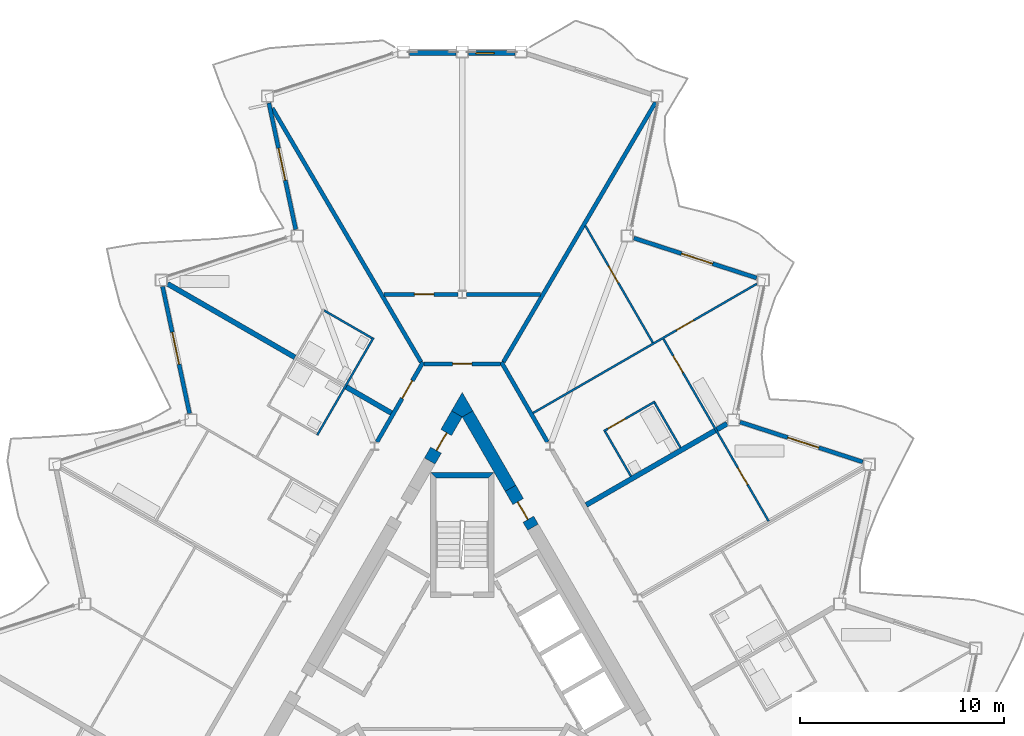
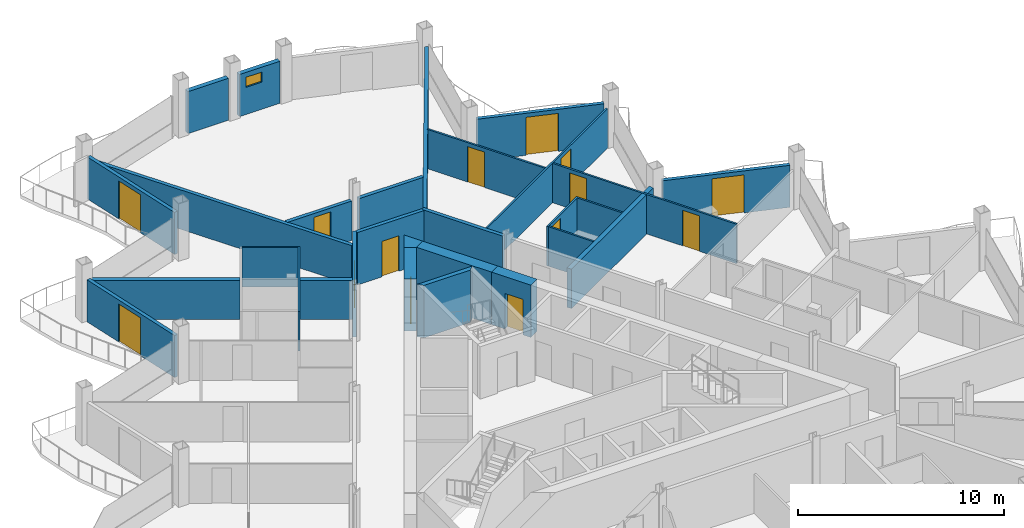
# One storey, part 17 of 26: 29 walls, 14 doors, 1 window, 15 openings.
"""IFC4 building model written with IfcOpenShell, lengths in metres."""

from ifc_helpers import new_model, si_unit, direction, frame, frame_2d, origin, place, context, subcontext, project, spatial, polyline, rectangle, outline, extrude, material, layer, layer_set, type_object, element, fill, save


model = new_model("IFC4")

# Units and contexts
model_context = context("Model", 3, precision=1e-05, world=origin(), true_north=direction((0.0, 1.0)))
body_context = subcontext(model_context, "Body", "Model", "MODEL_VIEW")
ifc_project = project(units=[si_unit("LENGTHUNIT", "METRE"), si_unit("AREAUNIT", "SQUARE_METRE"), si_unit("VOLUMEUNIT", "CUBIC_METRE"), si_unit("PLANEANGLEUNIT", "RADIAN"), si_unit("MASSUNIT", "GRAM", prefix="KILO")], contexts=[model_context])

# Site, building, storey
site_placement = place(None, origin())
site = spatial("IfcSite", under=ifc_project, at=site_placement, CompositionType="ELEMENT")
building_placement = place(site_placement, origin())
building = spatial("IfcBuilding", under=site, at=building_placement, Name="Cormorant Prow Tower", CompositionType="ELEMENT")
storey_placement = place(building_placement, frame((0.0, 0.0, 339.199951171875)))
storey = spatial("IfcBuildingStorey", under=building, at=storey_placement, Name="L76", CompositionType="ELEMENT", Elevation=339.199951171875)

# Walls
ifc_material_1 = material(Name="Concrete 8000 psi", Category="concrete")
ifc_layer_1 = layer(ifc_material_1, 0.60009765625)
ifc_layer_set_1 = layer_set([ifc_layer_1], Name="Concrete 8000 psi")
wall_type_1 = type_object("IfcWallType", Name="Core shear wall 600", PredefinedType="SHEAR", material=ifc_layer_set_1)
wall_1_placement = place(storey_placement, frame((2.36083984375, 10.322021484375, 0.0), z_axis=(0.0, 0.0, 1.0), x_axis=(-0.500000735859, 0.866024978935, 0.0)))
element("IfcWall", 1, at=wall_1_placement, inside=storey, type_object=wall_type_1, Name="Core wall", PredefinedType="SHEAR", context=body_context, shape_type="SweptSolid", body=[
    extrude(rectangle(XDim=4.2021484375, YDim=0.60009765625, at=frame_2d((2.10107421875, 0.0))), origin(), (0.0, 0.0, 1.0), 3.10009765625),
])
wall_2_placement = place(storey_placement, origin())
element("IfcWall", 2, at=wall_2_placement, inside=storey, type_object=wall_type_1, Name="Core wall corner", PredefinedType="SHEAR", context=body_context, shape_type="SweptSolid", body=[
    extrude(outline(polyline([(0.0, 13.81103515625), (-0.51953125, 14.111083984375), (0.0, 15.010986328125), (0.51953125, 14.111083984375), (0.0, 13.81103515625)])), origin(), (0.0, 0.0, 1.0), 3.10009765625),
])

# Wall, opening, door
wall_3_placement = place(storey_placement, frame((3.460693359375, 8.416748046875, 0.0), z_axis=(0.0, 0.0, 1.0), x_axis=(-0.499946605688, 0.86605622881, 0.0)))
wall_3 = element("IfcWall", 3, at=wall_3_placement, inside=storey, type_object=wall_type_1, Name="Core wall door panel", PredefinedType="SHEAR", context=body_context, shape_type="SweptSolid", body=[
    extrude(rectangle(XDim=2.199951171875, YDim=0.60009765625, at=frame_2d((1.10009765625, 0.0))), origin(), (0.0, 0.0, 1.0), 3.10009765625),
])
opening_1_placement = place(wall_3_placement, frame((0.449951171875, 0.0, 0.0)))
opening_1 = element("IfcOpeningElement", 4, at=opening_1_placement, cuts=wall_3, Name="Opening L76-C17", PredefinedType="OPENING", context=body_context, shape_type="SweptSolid", body=[
    extrude(rectangle(XDim=1.0, YDim=2.10009765625, at=frame_2d((0.5, 1.050048828125))), frame((0.0, 0.31005859375, 0.0), z_axis=(0.0, -1.0, 0.0), x_axis=(1.0, 0.0, 0.0)), (0.0, 0.0, 1.0), 0.6201171875),
])
ifc_material_2 = material(Name="Painted steel", Category="steel")
door_type_1 = type_object("IfcDoorType", Name="Service door 1000x2100", OperationType="NOTDEFINED", PredefinedType="DOOR", material=ifc_material_2)
door_1_placement = place(opening_1_placement, origin())
door_1 = element("IfcDoor", 5, at=door_1_placement, inside=storey, type_object=door_type_1, Name="Core door, Mechanical riser room", OperationType="SINGLE_SWING_RIGHT", OverallHeight=2.10009765625, OverallWidth=1.0, PredefinedType="DOOR", context=body_context, shape_type="SweptSolid", body=[
    extrude(rectangle(XDim=1.0, YDim=2.10009765625, at=frame_2d((0.5, 1.050048828125))), frame((0.0, 0.05517578125, 0.0), z_axis=(0.0, -1.0, 0.0), x_axis=(1.0, 0.0, 0.0)), (0.0, 0.0, 1.0), 0.050048828125),
])
fill(opening_1, door_1)

wall_4_placement = place(storey_placement, frame((-0.259765625, 13.961181640625, 0.0), z_axis=(0.0, 0.0, 1.0), x_axis=(-0.49997936161, -0.866037319036, 0.0)))
wall_4 = element("IfcWall", 6, at=wall_4_placement, inside=storey, type_object=wall_type_1, Name="Core wall door panel", PredefinedType="SHEAR", context=body_context, shape_type="SweptSolid", body=[
    extrude(rectangle(XDim=2.65966796875, YDim=0.60009765625, at=frame_2d((1.329833984375, 0.0))), origin(), (0.0, 0.0, 1.0), 3.10009765625),
])
opening_2_placement = place(wall_4_placement, frame((1.050048828125, 0.0, 0.0)))
opening_2 = element("IfcOpeningElement", 7, at=opening_2_placement, cuts=wall_4, Name="Opening L76-C19", PredefinedType="OPENING", context=body_context, shape_type="SweptSolid", body=[
    extrude(rectangle(XDim=1.0, YDim=2.10009765625, at=frame_2d((0.5, 1.050048828125))), frame((0.0, 0.31005859375, 0.0), z_axis=(0.0, -1.0, 0.0), x_axis=(1.0, 0.0, 0.0)), (0.0, 0.0, 1.0), 0.6201171875),
])
door_2_placement = place(opening_2_placement, origin())
door_2 = element("IfcDoor", 8, at=door_2_placement, inside=storey, type_object=door_type_1, Name="Core door, Mechanical riser room", OperationType="SINGLE_SWING_LEFT", OverallHeight=2.10009765625, OverallWidth=1.0, PredefinedType="DOOR", context=body_context, shape_type="SweptSolid", body=[
    extrude(rectangle(XDim=1.0, YDim=2.10009765625, at=frame_2d((0.5, 1.050048828125))), frame((0.0, 0.05517578125, 0.0), z_axis=(0.0, -1.0, 0.0), x_axis=(1.0, 0.0, 0.0)), (0.0, 0.0, 1.0), 0.050048828125),
])
fill(opening_2, door_2)

ifc_material_3 = material(Name="Gypsum board corridor wall")
ifc_layer_2 = layer(ifc_material_3, 0.199951171875)
ifc_layer_set_2 = layer_set([ifc_layer_2], Name="Gypsum board corridor wall")
wall_type_2 = type_object("IfcWallType", Name="Corridor wall 200", PredefinedType="PARTITIONING", material=ifc_layer_set_2)
wall_5_placement = place(storey_placement, frame((-4.169189453125, 12.589599609375, 0.0), z_axis=(0.0, 0.0, 1.0), x_axis=(0.499950370306, 0.866054055606, 0.0)))
wall_5 = element("IfcWall", 9, at=wall_5_placement, inside=storey, type_object=wall_type_2, Name="Corridor wall", PredefinedType="PARTITIONING", context=body_context, shape_type="SweptSolid", body=[
    extrude(rectangle(XDim=4.5126953125, YDim=0.199951171875, at=frame_2d((2.25634765625, 0.0))), origin(), (0.0, 0.0, 1.0), 3.10009765625),
])
opening_3_placement = place(wall_5_placement, frame((2.459228515625, 0.0, 0.0)))
opening_3 = element("IfcOpeningElement", 10, at=opening_3_placement, cuts=wall_5, Name="Opening L76-F40", PredefinedType="OPENING", context=body_context, shape_type="SweptSolid", body=[
    extrude(rectangle(XDim=1.0, YDim=2.10009765625, at=frame_2d((0.5, 1.050048828125))), frame((0.0, 0.10986328125, 0.0), z_axis=(0.0, -1.0, 0.0), x_axis=(1.0, 0.0, 0.0)), (0.0, 0.0, 1.0), 0.219970703125),
])
ifc_material_4 = material(Name="Timber door leaf", Category="wood")
door_type_2 = type_object("IfcDoorType", Name="Flat or room entrance door 1000x2100", OperationType="NOTDEFINED", PredefinedType="DOOR", material=ifc_material_4)
door_3_placement = place(opening_3_placement, origin())
door_3 = element("IfcDoor", 11, at=door_3_placement, inside=storey, type_object=door_type_2, Name="Studio living, kitchen and sleeping room door", OperationType="SINGLE_SWING_LEFT", OverallHeight=2.10009765625, OverallWidth=1.0, PredefinedType="DOOR", context=body_context, shape_type="SweptSolid", body=[
    extrude(rectangle(XDim=1.0, YDim=2.10009765625, at=frame_2d((0.5, 1.050048828125))), frame((0.0, 0.02490234375, 0.0), z_axis=(0.0, -1.0, 0.0), x_axis=(1.0, 0.0, 0.0)), (0.0, 0.0, 1.0), 0.050048828125),
])
fill(opening_3, door_3)

# Wall
wall_6_placement = place(storey_placement, frame((1.9130859375, 16.497802734375, 0.0), z_axis=(0.0, 0.0, 1.0), x_axis=(0.499950370306, -0.866054055606, 0.0)))
element("IfcWall", 12, at=wall_6_placement, inside=storey, type_object=wall_type_2, Name="Corridor wall", PredefinedType="PARTITIONING", context=body_context, shape_type="SweptSolid", body=[
    extrude(rectangle(XDim=4.5126953125, YDim=0.199951171875, at=frame_2d((2.25634765625, 0.0))), origin(), (0.0, 0.0, 1.0), 3.10009765625),
])

# Wall, opening, door
wall_7_placement = place(storey_placement, frame((-1.863037109375, 16.4111328125, 0.0), z_axis=(0.0, 0.0, 1.0), x_axis=(1.0, 0.0, 0.0)))
wall_7 = element("IfcWall", 13, at=wall_7_placement, inside=storey, type_object=wall_type_2, Name="Corridor wall", PredefinedType="PARTITIONING", context=body_context, shape_type="SweptSolid", body=[
    extrude(rectangle(XDim=3.72607421875, YDim=0.199951171875, at=frame_2d((1.863037109375, 0.0))), origin(), (0.0, 0.0, 1.0), 3.10009765625),
])
opening_4_placement = place(wall_7_placement, frame((1.387939453125, 0.0, 0.0)))
opening_4 = element("IfcOpeningElement", 14, at=opening_4_placement, cuts=wall_7, Name="Opening L76-F38", PredefinedType="OPENING", context=body_context, shape_type="SweptSolid", body=[
    extrude(rectangle(XDim=0.949951171875, YDim=2.10009765625, at=frame_2d((0.47509765625, 1.050048828125))), frame((0.0, 0.10986328125, 0.0), z_axis=(0.0, -1.0, 0.0), x_axis=(1.0, 0.0, 0.0)), (0.0, 0.0, 1.0), 0.219970703125),
])
ifc_material_5 = material(Name="Timber door leaf", Category="wood")
door_type_3 = type_object("IfcDoorType", Name="Store door 950x2100", OperationType="NOTDEFINED", PredefinedType="DOOR", material=ifc_material_5)
door_4_placement = place(opening_4_placement, origin())
door_4 = element("IfcDoor", 15, at=door_4_placement, inside=storey, type_object=door_type_3, Name="Refuse room door", OperationType="SINGLE_SWING_RIGHT", OverallHeight=2.10009765625, OverallWidth=0.949951171875, PredefinedType="DOOR", context=body_context, shape_type="SweptSolid", body=[
    extrude(rectangle(XDim=0.949951171875, YDim=2.10009765625, at=frame_2d((0.47509765625, 1.050048828125))), frame((0.0, 0.02490234375, 0.0), z_axis=(0.0, -1.0, 0.0), x_axis=(1.0, 0.0, 0.0)), (0.0, 0.0, 1.0), 0.050048828125),
])
fill(opening_4, door_4)

# Walls
ifc_material_6 = material(Name="Gypsum board demising wall")
ifc_layer_3 = layer(ifc_material_6, 0.199951171875)
ifc_layer_set_3 = layer_set([ifc_layer_3], Name="Gypsum board demising wall")
wall_type_3 = type_object("IfcWallType", Name="Demising wall 200", PredefinedType="PARTITIONING", material=ifc_layer_set_3)
wall_8_placement = place(storey_placement, frame((-9.29248046875, 28.91943359375, 0.0), z_axis=(0.0, 0.0, 1.0), x_axis=(0.505558038556, -0.862792599442, 0.0)))
element("IfcWall", 16, at=wall_8_placement, inside=storey, type_object=wall_type_3, Name="Demising wall", PredefinedType="PARTITIONING", context=body_context, shape_type="SweptSolid", body=[
    extrude(rectangle(XDim=14.3974609375, YDim=0.199951171875, at=frame_2d((7.19873046875, 0.0))), origin(), (0.0, 0.0, 1.0), 2.330078125),
])
wall_9_placement = place(storey_placement, frame((2.013671875, 16.497314453125, 0.0), z_axis=(0.0, 0.0, 1.0), x_axis=(0.5055676136, 0.862786988821, 0.0)))
element("IfcWall", 17, at=wall_9_placement, inside=storey, type_object=wall_type_3, Name="Demising wall", PredefinedType="PARTITIONING", context=body_context, shape_type="SweptSolid", body=[
    extrude(rectangle(XDim=14.7275390625, YDim=0.199951171875, at=frame_2d((7.36376953125, 0.0))), origin(), (0.0, 0.0, 1.0), 2.330078125),
])

# Wall, opening, door
wall_10_placement = place(storey_placement, frame((-3.825927734375, 19.81103515625, 0.0), z_axis=(0.0, 0.0, 1.0), x_axis=(1.0, 0.0, 0.0)))
wall_10 = element("IfcWall", 18, at=wall_10_placement, inside=storey, type_object=wall_type_3, Name="Demising wall", PredefinedType="PARTITIONING", context=body_context, shape_type="SweptSolid", body=[
    extrude(rectangle(XDim=3.6181640625, YDim=0.199951171875, at=frame_2d((1.80908203125, 0.0))), origin(), (0.0, 0.0, 1.0), 2.330078125),
])
opening_5_placement = place(wall_10_placement, frame((1.489013671875, 0.0, 0.0)))
opening_5 = element("IfcOpeningElement", 19, at=opening_5_placement, cuts=wall_10, Name="Opening L76-F39", PredefinedType="OPENING", context=body_context, shape_type="SweptSolid", body=[
    extrude(rectangle(XDim=0.949951171875, YDim=2.10009765625, at=frame_2d((0.47509765625, 1.050048828125))), frame((0.0, 0.10986328125, 0.0), z_axis=(0.0, -1.0, 0.0), x_axis=(1.0, 0.0, 0.0)), (0.0, 0.0, 1.0), 0.219970703125),
])
door_5_placement = place(opening_5_placement, origin())
door_5 = element("IfcDoor", 20, at=door_5_placement, inside=storey, type_object=door_type_3, Name="Bicycle store door", OperationType="SINGLE_SWING_RIGHT", OverallHeight=2.10009765625, OverallWidth=0.949951171875, PredefinedType="DOOR", context=body_context, shape_type="SweptSolid", body=[
    extrude(rectangle(XDim=0.949951171875, YDim=2.10009765625, at=frame_2d((0.47509765625, 1.050048828125))), frame((0.0, 0.02490234375, 0.0), z_axis=(0.0, -1.0, 0.0), x_axis=(1.0, 0.0, 0.0)), (0.0, 0.0, 1.0), 0.050048828125),
])
fill(opening_5, door_5)

# Wall
wall_11_placement = place(storey_placement, frame((0.207763671875, 19.81103515625, 0.0), z_axis=(0.0, 0.0, 1.0), x_axis=(1.0, 0.0, 0.0)))
element("IfcWall", 21, at=wall_11_placement, inside=storey, type_object=wall_type_3, Name="Demising wall", PredefinedType="PARTITIONING", context=body_context, shape_type="SweptSolid", body=[
    extrude(rectangle(XDim=3.6181640625, YDim=0.199951171875, at=frame_2d((1.80908203125, 0.0))), origin(), (0.0, 0.0, 1.0), 2.330078125),
])

# Wall, opening, door
ifc_material_7 = material(Name="Gypsum board partition")
ifc_layer_4 = layer(ifc_material_7, 0.10009765625)
ifc_layer_set_4 = layer_set([ifc_layer_4], Name="Gypsum board partition")
wall_type_4 = type_object("IfcWallType", Name="Internal partition 100", PredefinedType="PARTITIONING", material=ifc_layer_set_4)
wall_12_placement = place(storey_placement, frame((3.467529296875, 14.005126953125, 0.0), z_axis=(0.0, 0.0, 1.0), x_axis=(0.866020616849, 0.500008291124, 0.0)))
wall_12 = element("IfcWall", 22, at=wall_12_placement, inside=storey, type_object=wall_type_4, Name="Internal partition", PredefinedType="PARTITIONING", context=body_context, shape_type="SweptSolid", body=[
    extrude(rectangle(XDim=12.642822265625, YDim=0.10009765625, at=frame_2d((6.3212890625, 0.0))), origin(), (0.0, 0.0, 1.0), 2.330078125),
])
opening_6_placement = place(wall_12_placement, frame((8.115234375, 0.0, 0.0)))
opening_6 = element("IfcOpeningElement", 23, at=opening_6_placement, cuts=wall_12, Name="Opening L76-F36", PredefinedType="OPENING", context=body_context, shape_type="SweptSolid", body=[
    extrude(rectangle(XDim=0.949951171875, YDim=2.10009765625, at=frame_2d((0.47509765625, 1.050048828125))), frame((0.0, 0.06005859375, 0.0), z_axis=(0.0, -1.0, 0.0), x_axis=(1.0, 0.0, 0.0)), (0.0, 0.0, 1.0), 0.1201171875),
])
ifc_material_8 = material(Name="Timber door leaf", Category="wood")
door_type_4 = type_object("IfcDoorType", Name="Bathroom door 950x2100", OperationType="NOTDEFINED", PredefinedType="DOOR", material=ifc_material_8)
door_6_placement = place(opening_6_placement, origin())
door_6 = element("IfcDoor", 24, at=door_6_placement, inside=storey, type_object=door_type_4, Name="Kitchen door", OperationType="SINGLE_SWING_LEFT", OverallHeight=2.10009765625, OverallWidth=0.949951171875, PredefinedType="DOOR", context=body_context, shape_type="SweptSolid", body=[
    extrude(rectangle(XDim=0.949951171875, YDim=2.10009765625, at=frame_2d((0.47509765625, 1.050048828125))), frame((0.0, 0.02490234375, 0.0), z_axis=(0.0, -1.0, 0.0), x_axis=(1.0, 0.0, 0.0)), (0.0, 0.0, 1.0), 0.050048828125),
])
fill(opening_6, door_6)

# Wall, openings, doors
wall_13_placement = place(storey_placement, frame((9.84619140625, 17.630126953125, 0.0), z_axis=(0.0, 0.0, 1.0), x_axis=(0.500013259472, -0.866017748289, 0.0)))
wall_13 = element("IfcWall", 25, at=wall_13_placement, inside=storey, type_object=wall_type_4, Name="Internal partition", PredefinedType="PARTITIONING", context=body_context, shape_type="SweptSolid", body=[
    extrude(rectangle(XDim=10.295166015625, YDim=0.10009765625, at=frame_2d((5.1474609375, 0.0))), origin(), (0.0, 0.0, 1.0), 2.330078125),
])
opening_7_placement = place(wall_13_placement, frame((7.285888671875, 0.0, 0.0)))
opening_7 = element("IfcOpeningElement", 26, at=opening_7_placement, cuts=wall_13, Name="Opening L76-F29", PredefinedType="OPENING", context=body_context, shape_type="SweptSolid", body=[
    extrude(rectangle(XDim=0.949951171875, YDim=2.10009765625, at=frame_2d((0.47509765625, 1.050048828125))), frame((0.0, 0.06005859375, 0.0), z_axis=(0.0, -1.0, 0.0), x_axis=(1.0, 0.0, 0.0)), (0.0, 0.0, 1.0), 0.1201171875),
])
opening_8_placement = place(wall_13_placement, frame((0.95361328125, 0.0, 0.0)))
opening_8 = element("IfcOpeningElement", 27, at=opening_8_placement, cuts=wall_13, Name="Opening L76-F35", PredefinedType="OPENING", context=body_context, shape_type="SweptSolid", body=[
    extrude(rectangle(XDim=0.949951171875, YDim=2.10009765625, at=frame_2d((0.47509765625, 1.050048828125))), frame((0.0, 0.06005859375, 0.0), z_axis=(0.0, -1.0, 0.0), x_axis=(1.0, 0.0, 0.0)), (0.0, 0.0, 1.0), 0.1201171875),
])
door_7_placement = place(opening_7_placement, origin())
door_7 = element("IfcDoor", 28, at=door_7_placement, inside=storey, type_object=door_type_4, Name="Living room door", OperationType="SINGLE_SWING_LEFT", OverallHeight=2.10009765625, OverallWidth=0.949951171875, PredefinedType="DOOR", context=body_context, shape_type="SweptSolid", body=[
    extrude(rectangle(XDim=0.949951171875, YDim=2.10009765625, at=frame_2d((0.47509765625, 1.050048828125))), frame((0.0, 0.02490234375, 0.0), z_axis=(0.0, -1.0, 0.0), x_axis=(1.0, 0.0, 0.0)), (0.0, 0.0, 1.0), 0.050048828125),
])
fill(opening_7, door_7)
door_8_placement = place(opening_8_placement, origin())
door_8 = element("IfcDoor", 29, at=door_8_placement, inside=storey, type_object=door_type_4, Name="Living room door", OperationType="SINGLE_SWING_LEFT", OverallHeight=2.10009765625, OverallWidth=0.949951171875, PredefinedType="DOOR", context=body_context, shape_type="SweptSolid", body=[
    extrude(rectangle(XDim=0.949951171875, YDim=2.10009765625, at=frame_2d((0.47509765625, 1.050048828125))), frame((0.0, 0.02490234375, 0.0), z_axis=(0.0, -1.0, 0.0), x_axis=(1.0, 0.0, 0.0)), (0.0, 0.0, 1.0), 0.050048828125),
])
fill(opening_8, door_8)

# Wall, opening, door
wall_14_placement = place(storey_placement, frame((6.023681640625, 23.1689453125, 0.0), z_axis=(0.0, 0.0, 1.0), x_axis=(0.499997497522, -0.866026848586, 0.0)))
wall_14 = element("IfcWall", 30, at=wall_14_placement, inside=storey, type_object=wall_type_4, Name="Internal partition", PredefinedType="PARTITIONING", context=body_context, shape_type="SweptSolid", body=[
    extrude(rectangle(XDim=6.60791015625, YDim=0.10009765625, at=frame_2d((3.303955078125, 0.0))), origin(), (0.0, 0.0, 1.0), 2.330078125),
])
opening_9_placement = place(wall_14_placement, frame((2.272705078125, 0.0, 0.0)))
opening_9 = element("IfcOpeningElement", 31, at=opening_9_placement, cuts=wall_14, Name="Opening L76-F37", PredefinedType="OPENING", context=body_context, shape_type="SweptSolid", body=[
    extrude(rectangle(XDim=0.949951171875, YDim=2.10009765625, at=frame_2d((0.47509765625, 1.050048828125))), frame((0.0, 0.06005859375, 0.0), z_axis=(0.0, -1.0, 0.0), x_axis=(1.0, 0.0, 0.0)), (0.0, 0.0, 1.0), 0.1201171875),
])
door_9_placement = place(opening_9_placement, origin())
door_9 = element("IfcDoor", 32, at=door_9_placement, inside=storey, type_object=door_type_4, Name="Bedroom door", OperationType="SINGLE_SWING_LEFT", OverallHeight=2.10009765625, OverallWidth=0.949951171875, PredefinedType="DOOR", context=body_context, shape_type="SweptSolid", body=[
    extrude(rectangle(XDim=0.949951171875, YDim=2.10009765625, at=frame_2d((0.47509765625, 1.050048828125))), frame((0.0, 0.02490234375, 0.0), z_axis=(0.0, -1.0, 0.0), x_axis=(1.0, 0.0, 0.0)), (0.0, 0.0, 1.0), 0.050048828125),
])
fill(opening_9, door_9)

# Wall
wall_15_placement = place(storey_placement, frame((-7.09423828125, 12.923583984375, 0.0), z_axis=(0.0, 0.0, 1.0), x_axis=(0.499996545922, 0.866027397988, 0.0)))
element("IfcWall", 33, at=wall_15_placement, inside=storey, type_object=wall_type_4, Name="Internal partition", PredefinedType="PARTITIONING", context=body_context, shape_type="SweptSolid", body=[
    extrude(rectangle(XDim=5.5, YDim=0.10009765625, at=frame_2d((2.75, 0.0))), origin(), (0.0, 0.0, 1.0), 2.330078125),
])

# Wall, opening, door
wall_16_placement = place(storey_placement, frame((6.9248046875, 13.1171875, 0.0), z_axis=(0.0, 0.0, 1.0), x_axis=(0.866011727401, 0.500023687443, 0.0)))
wall_16 = element("IfcWall", 34, at=wall_16_placement, inside=storey, type_object=wall_type_4, Name="Internal partition", PredefinedType="PARTITIONING", context=body_context, shape_type="SweptSolid", body=[
    extrude(rectangle(XDim=2.899658203125, YDim=0.10009765625, at=frame_2d((1.44970703125, 0.0))), origin(), (0.0, 0.0, 1.0), 2.330078125),
])
opening_10_placement = place(wall_16_placement, frame((0.25, 0.0, 0.0)))
opening_10 = element("IfcOpeningElement", 35, at=opening_10_placement, cuts=wall_16, Name="Opening L76-F34", PredefinedType="OPENING", context=body_context, shape_type="SweptSolid", body=[
    extrude(rectangle(XDim=0.949951171875, YDim=2.10009765625, at=frame_2d((0.47509765625, 1.050048828125))), frame((0.0, 0.06005859375, 0.0), z_axis=(0.0, -1.0, 0.0), x_axis=(1.0, 0.0, 0.0)), (0.0, 0.0, 1.0), 0.1201171875),
])
door_10_placement = place(opening_10_placement, origin())
door_10 = element("IfcDoor", 36, at=door_10_placement, inside=storey, type_object=door_type_4, Name="Living room door", OperationType="SINGLE_SWING_LEFT", OverallHeight=2.10009765625, OverallWidth=0.949951171875, PredefinedType="DOOR", context=body_context, shape_type="SweptSolid", body=[
    extrude(rectangle(XDim=0.949951171875, YDim=2.10009765625, at=frame_2d((0.47509765625, 1.050048828125))), frame((0.0, 0.02490234375, 0.0), z_axis=(0.0, -1.0, 0.0), x_axis=(1.0, 0.0, 0.0)), (0.0, 0.0, 1.0), 0.050048828125),
])
fill(opening_10, door_10)

# Walls
wall_17_placement = place(storey_placement, frame((-6.750732421875, 19.018310546875, 0.0), z_axis=(0.0, 0.0, 1.0), x_axis=(0.866036505625, -0.499980770555, 0.0)))
element("IfcWall", 37, at=wall_17_placement, inside=storey, type_object=wall_type_4, Name="Internal partition", PredefinedType="PARTITIONING", context=body_context, shape_type="SweptSolid", body=[
    extrude(rectangle(XDim=2.69970703125, YDim=0.10009765625, at=frame_2d((1.349853515625, 0.0))), origin(), (0.0, 0.0, 1.0), 2.330078125),
])
wall_18_placement = place(storey_placement, frame((9.417724609375, 14.498779296875, 0.0), z_axis=(0.0, 0.0, 1.0), x_axis=(0.500090717682, -0.865973021571, 0.0)))
element("IfcWall", 38, at=wall_18_placement, inside=storey, type_object=wall_type_4, Name="Internal partition", PredefinedType="PARTITIONING", context=body_context, shape_type="SweptSolid", body=[
    extrude(rectangle(XDim=2.52490234375, YDim=0.10009765625, at=frame_2d((1.262451171875, 0.0))), origin(), (0.0, 0.0, 1.0), 2.330078125),
])
wall_19_placement = place(storey_placement, frame((6.992919921875, 13.098876953125, 0.0), z_axis=(0.0, 0.0, 1.0), x_axis=(0.500048846702, -0.865997200291, 0.0)))
element("IfcWall", 39, at=wall_19_placement, inside=storey, type_object=wall_type_4, Name="Internal partition", PredefinedType="PARTITIONING", context=body_context, shape_type="SweptSolid", body=[
    extrude(rectangle(XDim=2.525146484375, YDim=0.10009765625, at=frame_2d((1.2626953125, 0.0))), origin(), (0.0, 0.0, 1.0), 2.330078125),
])
ifc_material_9 = material(Name="Concrete 8000 psi", Category="concrete")
ifc_layer_5 = layer(ifc_material_9, 0.25)
ifc_layer_set_5 = layer_set([ifc_layer_5], Name="Concrete 8000 psi")
wall_type_5 = type_object("IfcWallType", Name="Stair wall 250", PredefinedType="SHEAR", material=ifc_layer_set_5)
wall_20_placement = place(storey_placement, origin())
element("IfcWall", 40, at=wall_20_placement, inside=storey, type_object=wall_type_5, Name="Stair ST3 enclosure wall (end)", PredefinedType="SHEAR", context=body_context, shape_type="SweptSolid", body=[
    extrude(outline(polyline([(1.5439453125, 11.0869140625), (-1.5439453125, 11.0869140625), (-1.2939453125, 10.8369140625), (1.2939453125, 10.8369140625), (1.5439453125, 11.0869140625)])), origin(), (0.0, 0.0, 1.0), 3.10009765625),
])
ifc_material_10 = material(Name="Acoustic gypsum party wall")
ifc_layer_6 = layer(ifc_material_10, 0.25)
ifc_layer_set_6 = layer_set([ifc_layer_6], Name="Acoustic gypsum party wall")
wall_type_6 = type_object("IfcWallType", Name="Suite party wall 250", PredefinedType="PARTITIONING", material=ifc_layer_set_6)
wall_21_placement = place(storey_placement, frame((6.06640625, 9.50390625, 0.0), z_axis=(0.0, 0.0, 1.0), x_axis=(0.866021168401, 0.500007335828, 0.0)))
element("IfcWall", 41, at=wall_21_placement, inside=storey, type_object=wall_type_6, Name="Suite party wall", PredefinedType="PARTITIONING", context=body_context, shape_type="SweptSolid", body=[
    extrude(rectangle(XDim=7.96240234375, YDim=0.25, at=frame_2d((3.981201171875, 0.0))), origin(), (0.0, 0.0, 1.0), 2.330078125),
])
wall_22_placement = place(storey_placement, frame((-14.41650390625, 20.32666015625, 0.0), z_axis=(0.0, 0.0, 1.0), x_axis=(0.866018271907, -0.50001235257, 0.0)))
element("IfcWall", 42, at=wall_22_placement, inside=storey, type_object=wall_type_6, Name="Suite party wall", PredefinedType="PARTITIONING", context=body_context, shape_type="SweptSolid", body=[
    extrude(rectangle(XDim=7.192626953125, YDim=0.25, at=frame_2d((3.59619140625, 0.0))), origin(), (0.0, 0.0, 1.0), 2.330078125),
])
wall_23_placement = place(storey_placement, frame((-5.67578125, 15.2802734375, 0.0), z_axis=(0.0, 0.0, 1.0), x_axis=(0.865989465428, -0.500062241894, 0.0)))
element("IfcWall", 43, at=wall_23_placement, inside=storey, type_object=wall_type_6, Name="Suite party wall", PredefinedType="PARTITIONING", context=body_context, shape_type="SweptSolid", body=[
    extrude(rectangle(XDim=2.550048828125, YDim=0.25, at=frame_2d((1.27490234375, 0.0))), origin(), (0.0, 0.0, 1.0), 2.330078125),
])

# Wall, opening, window
ifc_material_11 = material(Name="Terracotta", Category="masonry")
ifc_layer_7 = layer(ifc_material_11, 0.25)
ifc_layer_set_7 = layer_set([ifc_layer_7], Name="Terracotta")
wall_type_7 = type_object("IfcWallType", Name="Terracotta bay wall 250", PredefinedType="SOLIDWALL", material=ifc_layer_set_7)
wall_24_placement = place(storey_placement, frame((2.57373046875, 31.61376953125, 0.0), z_axis=(0.0, 0.0, 1.0), x_axis=(-1.0, 0.0, 0.0)))
wall_24 = element("IfcWall", 44, at=wall_24_placement, inside=storey, type_object=wall_type_7, Name="Terracotta bay wall N00", PredefinedType="SOLIDWALL", context=body_context, shape_type="SweptSolid", body=[
    extrude(rectangle(XDim=2.273681640625, YDim=0.25, at=frame_2d((1.13671875, 0.0))), origin(), (0.0, 0.0, 1.0), 2.488037109375),
])
opening_11_placement = place(wall_24_placement, frame((1.010009765625, 0.0, 1.60009765625)))
opening_11 = element("IfcOpeningElement", 45, at=opening_11_placement, cuts=wall_24, Name="Opening WN7", PredefinedType="OPENING", context=body_context, shape_type="SweptSolid", body=[
    extrude(rectangle(XDim=0.89990234375, YDim=0.60009765625, at=frame_2d((0.449951171875, 0.300048828125))), frame((0.0, 0.135009765625, 0.0), z_axis=(0.0, -1.0, 0.0), x_axis=(1.0, 0.0, 0.0)), (0.0, 0.0, 1.0), 0.27001953125),
])
ifc_material_12 = material(Name="Aluminium 6063-T6", Category="aluminium")
window_type = type_object("IfcWindowType", Name="Corner bay window 900x600", PartitioningType="SINGLE_PANEL", PredefinedType="WINDOW", material=ifc_material_12)
window_placement = place(opening_11_placement, origin())
window = element("IfcWindow", 46, at=window_placement, inside=storey, type_object=window_type, Name="Corner bay window N00", OverallHeight=0.60009765625, OverallWidth=0.89990234375, PartitioningType="SINGLE_PANEL", PredefinedType="WINDOW", context=body_context, shape_type="SweptSolid", body=[
    extrude(rectangle(XDim=0.89990234375, YDim=0.60009765625, at=frame_2d((0.449951171875, 0.300048828125))), frame((0.0, 0.030029296875, 0.0), z_axis=(0.0, -1.0, 0.0), x_axis=(1.0, 0.0, 0.0)), (0.0, 0.0, 1.0), 0.06005859375),
])
fill(opening_11, window)

# Wall
wall_25_placement = place(storey_placement, frame((-0.300048828125, 31.61376953125, 0.0), z_axis=(0.0, 0.0, 1.0), x_axis=(-1.0, 0.0, 0.0)))
element("IfcWall", 47, at=wall_25_placement, inside=storey, type_object=wall_type_7, Name="Terracotta bay wall N01", PredefinedType="SOLIDWALL", context=body_context, shape_type="SweptSolid", body=[
    extrude(rectangle(XDim=2.273681640625, YDim=0.25, at=frame_2d((1.13671875, 0.0))), origin(), (0.0, 0.0, 1.0), 2.488037109375),
])

# Wall, opening, door
ifc_material_13 = material(Name="Terracotta", Category="masonry")
ifc_layer_8 = layer(ifc_material_13, 0.199951171875)
ifc_layer_set_8 = layer_set([ifc_layer_8], Name="Terracotta")
wall_type_8 = type_object("IfcWallType", Name="Terracotta jamb wall 200", PredefinedType="SOLIDWALL", material=ifc_layer_set_8)
wall_26_placement = place(storey_placement, frame((19.600830078125, 11.61181640625, 0.0), z_axis=(0.0, 0.0, 1.0), x_axis=(-0.951065041052, 0.308990756638, 0.0)))
wall_26 = element("IfcWall", 48, at=wall_26_placement, inside=storey, type_object=wall_type_8, Name="Terracotta jamb wall ENE05", PredefinedType="SOLIDWALL", context=body_context, shape_type="SweptSolid", body=[
    extrude(rectangle(XDim=6.31298828125, YDim=0.199951171875, at=frame_2d((3.156494140625, 0.0))), origin(), (0.0, 0.0, 1.0), 2.488037109375),
])
opening_12_placement = place(wall_26_placement, frame((2.262939453125, 0.0, 0.0)))
opening_12 = element("IfcOpeningElement", 49, at=opening_12_placement, cuts=wall_26, Name="Opening ED76.08", PredefinedType="OPENING", context=body_context, shape_type="SweptSolid", body=[
    extrude(rectangle(XDim=1.60009765625, YDim=2.25, at=frame_2d((0.800048828125, 1.125))), frame((0.0, 0.10986328125, 0.0), z_axis=(0.0, -1.0, 0.0), x_axis=(1.0, 0.0, 0.0)), (0.0, 0.0, 1.0), 0.219970703125),
])
ifc_material_14 = material(Name="Aluminium 6063-T6", Category="aluminium")
door_type_5 = type_object("IfcDoorType", Name="Balcony door 1600x2250", OperationType="DOUBLE_DOOR_SINGLE_SWING", PredefinedType="DOOR", material=ifc_material_14)
door_11_placement = place(opening_12_placement, origin())
door_11 = element("IfcDoor", 50, at=door_11_placement, inside=storey, type_object=door_type_5, Name="Balcony door ENE05 ED76.08", OperationType="DOUBLE_DOOR_SINGLE_SWING", OverallHeight=2.25, OverallWidth=1.60009765625, PredefinedType="DOOR", context=body_context, shape_type="SweptSolid", body=[
    extrude(rectangle(XDim=1.60009765625, YDim=2.25, at=frame_2d((0.800048828125, 1.125))), frame((0.0, 0.02490234375, 0.0), z_axis=(0.0, -1.0, 0.0), x_axis=(1.0, 0.0, 0.0)), (0.0, 0.0, 1.0), 0.050048828125),
])
fill(opening_12, door_11)

wall_27_placement = place(storey_placement, frame((14.4033203125, 20.614013671875, 0.0), z_axis=(0.0, 0.0, 1.0), x_axis=(-0.951053103012, 0.309027499182, 0.0)))
wall_27 = element("IfcWall", 51, at=wall_27_placement, inside=storey, type_object=wall_type_8, Name="Terracotta jamb wall ENE07", PredefinedType="SOLIDWALL", context=body_context, shape_type="SweptSolid", body=[
    extrude(rectangle(XDim=6.314697265625, YDim=0.199951171875, at=frame_2d((3.1572265625, 0.0))), origin(), (0.0, 0.0, 1.0), 2.488037109375),
])
opening_13_placement = place(wall_27_placement, frame((2.262939453125, 0.0, 0.0)))
opening_13 = element("IfcOpeningElement", 52, at=opening_13_placement, cuts=wall_27, Name="Opening ED76.09", PredefinedType="OPENING", context=body_context, shape_type="SweptSolid", body=[
    extrude(rectangle(XDim=1.60009765625, YDim=2.25, at=frame_2d((0.800048828125, 1.125))), frame((0.0, 0.10986328125, 0.0), z_axis=(0.0, -1.0, 0.0), x_axis=(1.0, 0.0, 0.0)), (0.0, 0.0, 1.0), 0.219970703125),
])
door_12_placement = place(opening_13_placement, origin())
door_12 = element("IfcDoor", 53, at=door_12_placement, inside=storey, type_object=door_type_5, Name="Balcony door ENE07 ED76.09", OperationType="DOUBLE_DOOR_SINGLE_SWING", OverallHeight=2.25, OverallWidth=1.60009765625, PredefinedType="DOOR", context=body_context, shape_type="SweptSolid", body=[
    extrude(rectangle(XDim=1.60009765625, YDim=2.25, at=frame_2d((0.800048828125, 1.125))), frame((0.0, 0.02490234375, 0.0), z_axis=(0.0, -1.0, 0.0), x_axis=(1.0, 0.0, 0.0)), (0.0, 0.0, 1.0), 0.050048828125),
])
fill(opening_13, door_12)

wall_28_placement = place(storey_placement, frame((-9.46142578125, 29.173828125, 0.0), z_axis=(0.0, 0.0, 1.0), x_axis=(0.20791277238, -0.97814737084, 0.0)))
wall_28 = element("IfcWall", 54, at=wall_28_placement, inside=storey, type_object=wall_type_8, Name="Terracotta jamb wall WNW01", PredefinedType="SOLIDWALL", context=body_context, shape_type="SweptSolid", body=[
    extrude(rectangle(XDim=6.324462890625, YDim=0.199951171875, at=frame_2d((3.162109375, 0.0))), origin(), (0.0, 0.0, 1.0), 2.488037109375),
])
opening_14_placement = place(wall_28_placement, frame((2.262939453125, 0.0, 0.0)))
opening_14 = element("IfcOpeningElement", 55, at=opening_14_placement, cuts=wall_28, Name="Opening ED76.11", PredefinedType="OPENING", context=body_context, shape_type="SweptSolid", body=[
    extrude(rectangle(XDim=1.60009765625, YDim=2.25, at=frame_2d((0.800048828125, 1.125))), frame((0.0, 0.10986328125, 0.0), z_axis=(0.0, -1.0, 0.0), x_axis=(1.0, 0.0, 0.0)), (0.0, 0.0, 1.0), 0.219970703125),
])
door_13_placement = place(opening_14_placement, origin())
door_13 = element("IfcDoor", 56, at=door_13_placement, inside=storey, type_object=door_type_5, Name="Balcony door WNW01 ED76.11", OperationType="DOUBLE_DOOR_SINGLE_SWING", OverallHeight=2.25, OverallWidth=1.60009765625, PredefinedType="DOOR", context=body_context, shape_type="SweptSolid", body=[
    extrude(rectangle(XDim=1.60009765625, YDim=2.25, at=frame_2d((0.800048828125, 1.125))), frame((0.0, 0.02490234375, 0.0), z_axis=(0.0, -1.0, 0.0), x_axis=(1.0, 0.0, 0.0)), (0.0, 0.0, 1.0), 0.050048828125),
])
fill(opening_14, door_13)

wall_29_placement = place(storey_placement, frame((-14.663330078125, 20.1923828125, 0.0), z_axis=(0.0, 0.0, 1.0), x_axis=(0.207897850695, -0.97815054244, 0.0)))
wall_29 = element("IfcWall", 57, at=wall_29_placement, inside=storey, type_object=wall_type_8, Name="Terracotta jamb wall WNW03", PredefinedType="SOLIDWALL", context=body_context, shape_type="SweptSolid", body=[
    extrude(rectangle(XDim=6.348388671875, YDim=0.199951171875, at=frame_2d((3.17431640625, 0.0))), origin(), (0.0, 0.0, 1.0), 2.488037109375),
])
opening_15_placement = place(wall_29_placement, frame((2.28466796875, 0.0, 0.0)))
opening_15 = element("IfcOpeningElement", 58, at=opening_15_placement, cuts=wall_29, Name="Opening ED76.12", PredefinedType="OPENING", context=body_context, shape_type="SweptSolid", body=[
    extrude(rectangle(XDim=1.60009765625, YDim=2.25, at=frame_2d((0.800048828125, 1.125))), frame((0.0, 0.10986328125, 0.0), z_axis=(0.0, -1.0, 0.0), x_axis=(1.0, 0.0, 0.0)), (0.0, 0.0, 1.0), 0.219970703125),
])
door_14_placement = place(opening_15_placement, origin())
door_14 = element("IfcDoor", 59, at=door_14_placement, inside=storey, type_object=door_type_5, Name="Balcony door WNW03 ED76.12", OperationType="DOUBLE_DOOR_SINGLE_SWING", OverallHeight=2.25, OverallWidth=1.60009765625, PredefinedType="DOOR", context=body_context, shape_type="SweptSolid", body=[
    extrude(rectangle(XDim=1.60009765625, YDim=2.25, at=frame_2d((0.800048828125, 1.125))), frame((0.0, 0.02490234375, 0.0), z_axis=(0.0, -1.0, 0.0), x_axis=(1.0, 0.0, 0.0)), (0.0, 0.0, 1.0), 0.050048828125),
])
fill(opening_15, door_14)

save(model, "model.ifc")
